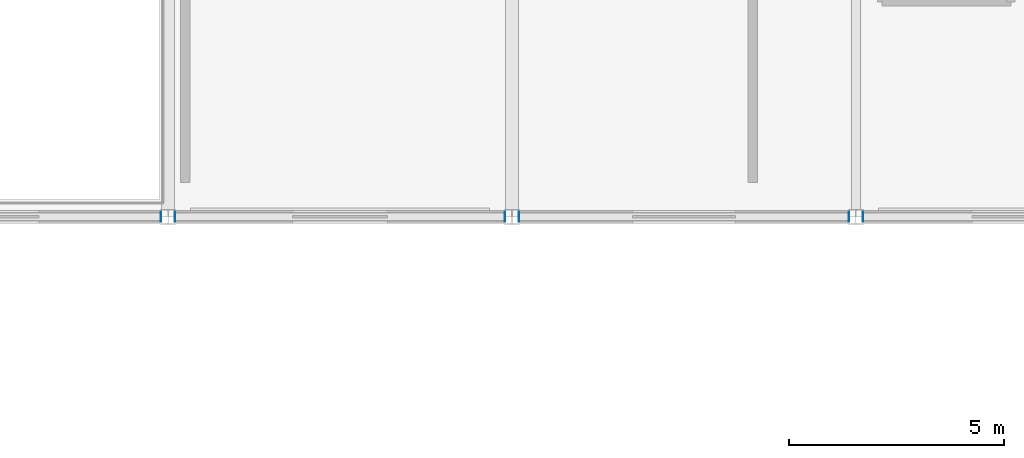
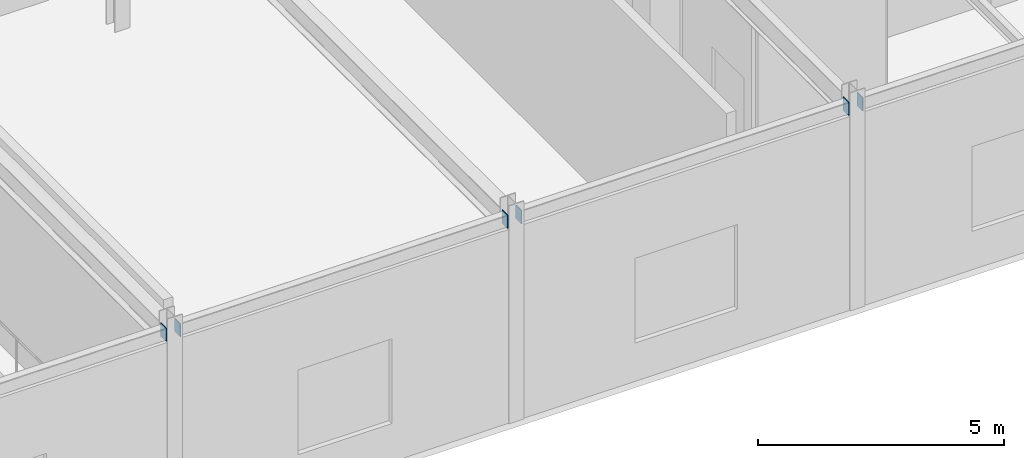
# One storey, part 127 of 184: 6 plates.
"""IFC4 building model written with IfcOpenShell, lengths in metres."""

from ifc_helpers import new_model, si_unit, direction, frame, origin, origin_2d, place, context, subcontext, project, spatial, rectangle, extrude, material, layer, layer_set, type_object, element, save


model = new_model("IFC4")

# Units and contexts
model_context = context("Model", 3, precision=1e-05, world=origin(), true_north=direction((0.0, 1.0)))
body_context = subcontext(model_context, "Body", "Model", "MODEL_VIEW")
ifc_project = project(units=[si_unit("LENGTHUNIT", "METRE"), si_unit("AREAUNIT", "SQUARE_METRE"), si_unit("VOLUMEUNIT", "CUBIC_METRE"), si_unit("PLANEANGLEUNIT", "RADIAN"), si_unit("MASSUNIT", "GRAM", prefix="KILO")], contexts=[model_context])

# Site, building, storey
site_placement = place(None, origin())
site = spatial("IfcSite", under=ifc_project, at=site_placement, CompositionType="ELEMENT")
building_placement = place(site_placement, origin())
building = spatial("IfcBuilding", under=site, at=building_placement, Name="Zhaolan Boulevard Law Courts", CompositionType="ELEMENT")
storey_placement = place(building_placement, frame((0.0, 0.0, 5.39990234375)))
storey = spatial("IfcBuildingStorey", under=building, at=storey_placement, Name="L01", CompositionType="ELEMENT", Elevation=5.39990234375)

# Plates
ifc_material = material(Name="Structural steel Q355B", Category="steel")
ifc_layer = layer(ifc_material, 0.02001953125)
ifc_layer_set = layer_set([ifc_layer])
plate_type = type_object("IfcPlateType", Name="END CAP PLATE 20", PredefinedType="SHEET", material=ifc_layer_set)
for number, where, z_axis, x_axis, name in (
    (1, (67.8369140625, 62.0, 4.802978515625), (0.0, 0.0, 1.0), (1.0, 0.0, 0.0), "Hollow Section End-Cap Plate ECP-0794"),
    (2, (68.1630859375, 62.0, 4.802978515625), (0.0, 0.0, 1.0), (1.0, 0.0, 0.0), "Hollow Section End-Cap Plate ECP-0795"),
    (3, (75.8369140625, 62.0, 4.802978515625), (0.0, 0.0, 1.0), (1.0, 0.0, 0.0), "Hollow Section End-Cap Plate ECP-0796"),
    (4, (76.1630859375, 62.0, 4.802978515625), (0.0, 0.0, 1.0), (1.0, 0.0, 0.0), "Hollow Section End-Cap Plate ECP-0797"),
    (5, (83.8369140625, 62.0, 4.802978515625), (0.0, 0.0, 1.0), (1.0, 0.0, 0.0), "Hollow Section End-Cap Plate ECP-0798"),
    (6, (84.1630859375, 62.0, 4.802978515625), (0.0, 0.0, 1.0), (1.0, 0.0, 0.0), "Hollow Section End-Cap Plate ECP-0799"),
):
    element("IfcPlate", number, at=place(storey_placement, frame(where, z_axis=z_axis, x_axis=x_axis)), inside=storey, type_object=plate_type, Name=name, PredefinedType="SHEET", context=body_context, shape_type="SweptSolid", body=[
        extrude(rectangle(XDim=0.02001953125, YDim=0.22998046875, at=origin_2d()), origin(), (0.0, 0.0, 1.0), 0.330078125),
    ])

save(model, "model.ifc")
